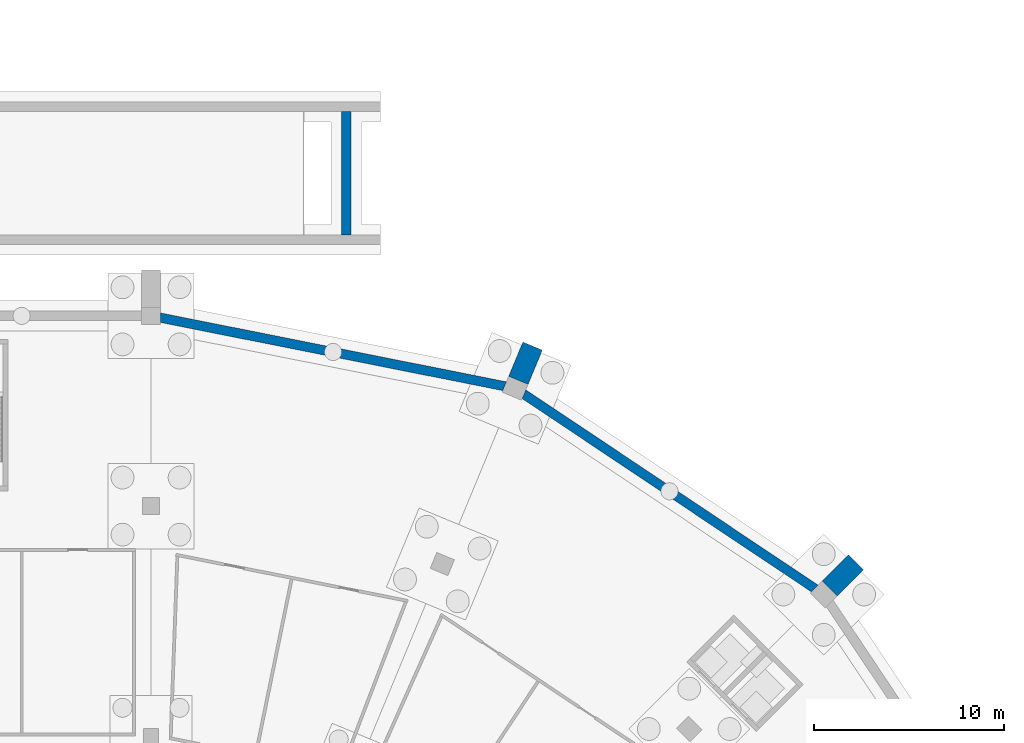
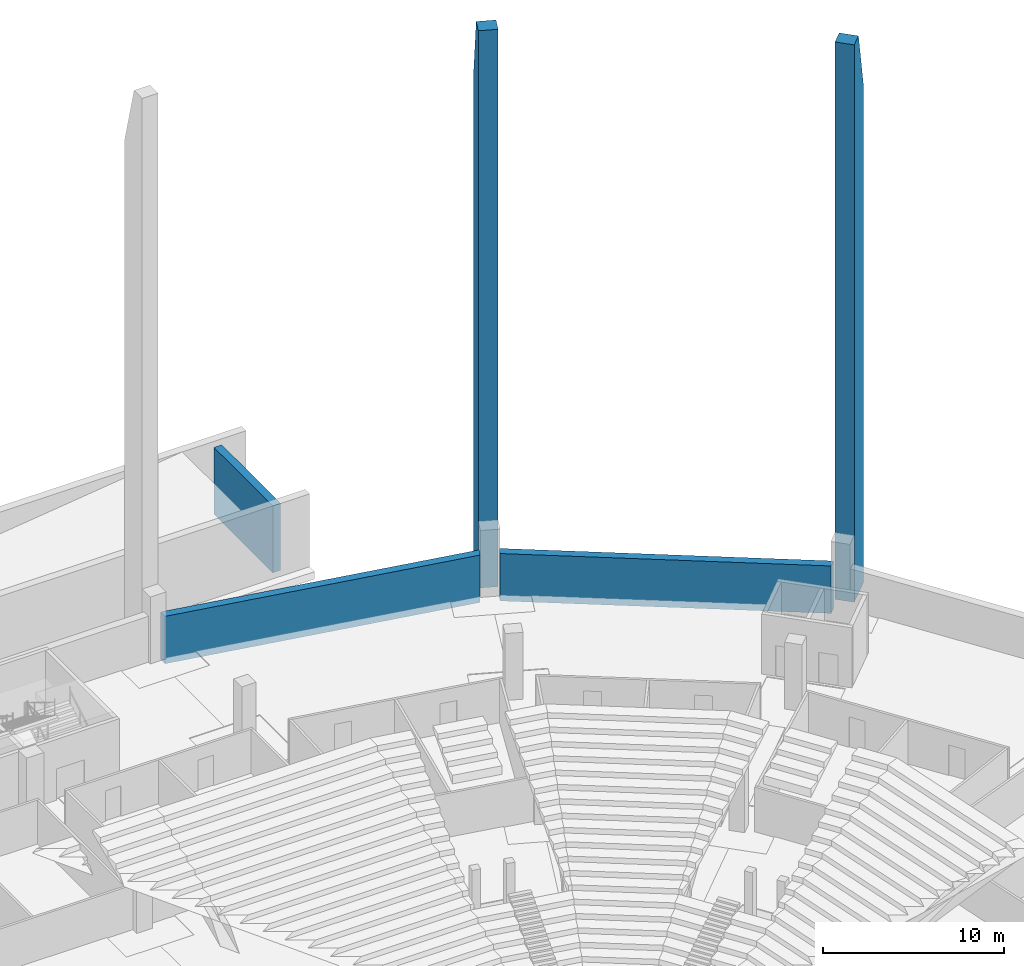
# One storey, part 41 of 115: 5 walls.
"""IFC4 building model written with IfcOpenShell, lengths in metres."""

from ifc_helpers import new_model, si_unit, direction, frame, frame_2d, origin, place, context, subcontext, project, spatial, polyline, rectangle, outline, extrude, material, layer, layer_set, type_object, element, save


model = new_model("IFC4")

# Units and contexts
model_context = context("Model", 3, precision=1e-05, world=origin(), true_north=direction((0.0, 1.0)))
body_context = subcontext(model_context, "Body", "Model", "MODEL_VIEW")
ifc_project = project(units=[si_unit("LENGTHUNIT", "METRE"), si_unit("AREAUNIT", "SQUARE_METRE"), si_unit("VOLUMEUNIT", "CUBIC_METRE"), si_unit("PLANEANGLEUNIT", "RADIAN"), si_unit("MASSUNIT", "GRAM", prefix="KILO")], contexts=[model_context])

# Site, building, storey
site_placement = place(None, origin())
site = spatial("IfcSite", under=ifc_project, at=site_placement, CompositionType="ELEMENT")
building_placement = place(site_placement, origin())
building = spatial("IfcBuilding", under=site, at=building_placement, Name="Ogive Plaza Stadium", CompositionType="ELEMENT")
storey_placement = place(building_placement, frame((0.0, 0.0, -4.5)))
storey = spatial("IfcBuildingStorey", under=building, at=storey_placement, Name="B1", CompositionType="ELEMENT", Elevation=-4.5)

# Walls
ifc_material_1 = material(Name="Concrete C45/55 precast", Category="concrete")
ifc_layer_1 = layer(ifc_material_1, 1.050048828125)
ifc_material_2 = material(Name="Cast stone (reconstituted limestone)", Category="masonry")
ifc_layer_2 = layer(ifc_material_2, 0.050048828125)
ifc_layer_set_1 = layer_set([ifc_layer_1, ifc_layer_2], Name="Concrete C45/55 precast, cast stone facing")
wall_type_1 = type_object("IfcWallType", Name="Buttress pier 1100", PredefinedType="SOLIDWALL", material=ifc_layer_set_1)
wall_1_placement = place(storey_placement, frame((53.306396484375, 99.109619140625, 0.0), z_axis=(0.0, 0.0, 1.0), x_axis=(0.38258767561, 0.923919190445, 0.0)))
element("IfcWall", 1, at=wall_1_placement, inside=storey, type_object=wall_type_1, Name="BUTTRESS PIER R38", PredefinedType="SOLIDWALL", context=body_context, shape_type="SweptSolid", body=[
    extrude(outline(polyline([(0.0, 0.0), (1.9501953125, 0.0), (1.949951171875, 33.5), (0.89990234375, 37.5), (0.0, 37.5), (0.0, 0.0)])), frame((0.0, 0.550048828125, 0.0), z_axis=(0.0, -1.0, 0.0), x_axis=(1.0, 0.0, 0.0)), (0.0, 0.0, 1.0), 1.10009765625),
])
wall_2_placement = place(storey_placement, frame((69.673583984375, 88.173583984375, 0.0), z_axis=(0.0, 0.0, 1.0), x_axis=(0.707106781187, 0.707106781187, 0.0)))
element("IfcWall", 2, at=wall_2_placement, inside=storey, type_object=wall_type_1, Name="BUTTRESS PIER R39", PredefinedType="SOLIDWALL", context=body_context, shape_type="SweptSolid", body=[
    extrude(outline(polyline([(0.0, 0.0), (1.949951171875, 0.0), (1.949951171875, 33.5), (0.89990234375, 37.5), (0.0, 37.5), (0.0, 0.0)])), frame((0.0, 0.550048828125, 0.0), z_axis=(0.0, -1.0, 0.0), x_axis=(1.0, 0.0, 0.0)), (0.0, 0.0, 1.0), 1.10009765625),
])
ifc_material_3 = material(Name="Concrete C40/50", Category="concrete")
ifc_layer_3 = layer(ifc_material_3, 0.5)
ifc_layer_set_2 = layer_set([ifc_layer_3], Name="Concrete C40/50")
wall_type_2 = type_object("IfcWallType", Name="RC retaining wall 500 A", PredefinedType="SOLIDWALL", material=ifc_layer_set_2)
wall_3_placement = place(storey_placement, frame((0.0, 0.0, -0.39990234375)))
element("IfcWall", 3, at=wall_3_placement, inside=storey, type_object=wall_type_2, Name="Retaining wall B37", PredefinedType="SOLIDWALL", context=body_context, shape_type="SweptSolid", body=[
    extrude(outline(polyline([(52.488525390625, 98.572509765625), (52.679931640625, 99.034423828125), (34.5, 102.650634765625), (34.5, 102.150634765625), (52.488525390625, 98.572509765625)])), origin(), (0.0, 0.0, 1.0), 3.18994140625),
])
wall_4_placement = place(storey_placement, frame((0.0, 0.0, -0.39990234375)))
element("IfcWall", 4, at=wall_4_placement, inside=storey, type_object=wall_type_2, Name="Retaining wall B38", PredefinedType="SOLIDWALL", context=body_context, shape_type="SweptSolid", body=[
    extrude(outline(polyline([(68.71240234375, 87.989990234375), (69.06591796875, 88.34375), (53.696044921875, 98.61328125), (53.5048828125, 98.1513671875), (68.71240234375, 87.989990234375)])), origin(), (0.0, 0.0, 1.0), 3.18994140625),
])
ifc_material_4 = material(Name="Concrete C35/45", Category="concrete")
ifc_layer_4 = layer(ifc_material_4, 0.5)
ifc_layer_set_3 = layer_set([ifc_layer_4], Name="Concrete C35/45")
wall_type_3 = type_object("IfcWallType", Name="Retaining wall 500 A", PredefinedType="STANDARD", material=ifc_layer_set_3)
wall_5_placement = place(storey_placement, frame((44.260009765625, 106.75, -0.39990234375), z_axis=(0.0, 0.0, 1.0), x_axis=(0.0, 1.0, 0.0)))
element("IfcWall", 5, at=wall_5_placement, inside=storey, type_object=wall_type_3, Name="Ramp head wall", PredefinedType="STANDARD", context=body_context, shape_type="SweptSolid", body=[
    extrude(rectangle(XDim=6.5, YDim=0.5, at=frame_2d((3.25, 0.0))), origin(), (0.0, 0.0, 1.0), 4.5),
])

save(model, "model.ifc")
